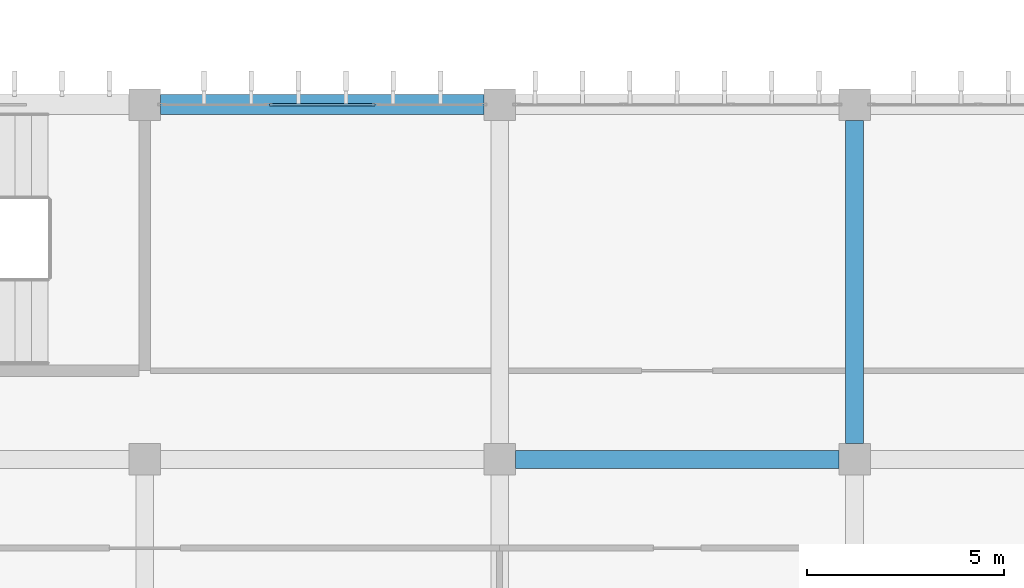
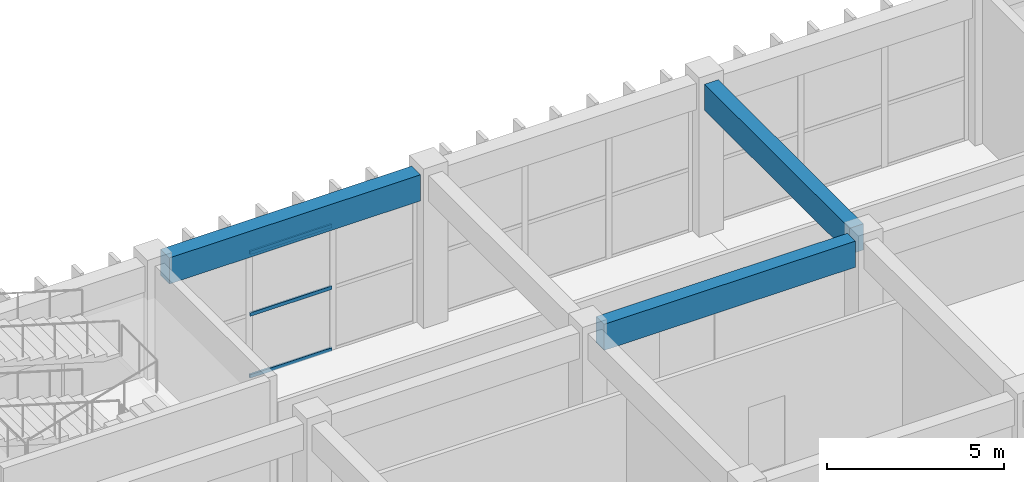
# One storey, part 215 of 437: 3 beams, 3 members, 1 element without a shape of its own.
"""IFC4 building model written with IfcOpenShell, lengths in metres."""

import ifcopenshell
import ifcopenshell.guid

model = None  # the IFC model being written
_history = None  # IfcOwnerHistory: only IFC2X3 demands one
_inside = {}  # id of a spatial element -> (the spatial element, [elements in it])
_under = {}  # id of a project, library or spatial element -> (it, [spatial elements below it])
_declared = {}  # id of a project -> (the project, [libraries it declares])
_typed = {}  # id of a type object -> (the type object, [elements of that type])
_made_of = {}  # id of a material, layer set ... -> (it, [elements and type objects made of it])


def new_model(schema):
    """Start an empty IFC model of exactly this schema.

    Asked for "IFC4X3", IfcOpenShell would pick the latest addendum, in which some entities
    have other attributes; the version numbers below select the first issue.
    IFC2X3 requires an IfcOwnerHistory on every rooted entity: one is made here for all.
    """
    global model, _history
    if schema == "IFC4X3":
        model = ifcopenshell.file(schema_version=(4, 3, 0, 0))
    else:
        model = ifcopenshell.file(schema=schema)
    _inside.clear()
    _under.clear()
    _declared.clear()
    _typed.clear()
    _made_of.clear()
    _history = None
    if model.schema == "IFC2X3":
        org = make("IfcOrganization", Name="unknown")
        user = make(
            "IfcPersonAndOrganization",
            ThePerson=make("IfcPerson", FamilyName="unknown"),
            TheOrganization=org,
        )
        app = make(
            "IfcApplication",
            ApplicationDeveloper=org,
            Version="unknown",
            ApplicationFullName="unknown",
            ApplicationIdentifier="unknown",
        )
        _history = make(
            "IfcOwnerHistory",
            OwningUser=user,
            OwningApplication=app,
            ChangeAction="ADDED",
            CreationDate=0,
        )
    return model


def make(cls, **values):
    """One entity of the class cls with the attributes given. An attribute that is None is left unset."""
    return model.create_entity(
        cls, **{name: value for name, value in values.items() if value is not None}
    )


def rooted(cls, **values):
    """An entity with a GlobalId (a new one), such as an element, a storey or a relation."""
    return make(cls, GlobalId=ifcopenshell.guid.new(), OwnerHistory=_history, **values)


def si_unit(unit_type, name, prefix=None):
    """IfcSIUnit, for example si_unit("LENGTHUNIT", "METRE", prefix="MILLI")."""
    return make("IfcSIUnit", UnitType=unit_type, Prefix=prefix, Name=name)


def assignment(units):
    """IfcUnitAssignment: the units of a project."""
    return None if units is None else make("IfcUnitAssignment", Units=units)


def point(xyz):
    """IfcCartesianPoint."""
    return None if xyz is None else make("IfcCartesianPoint", Coordinates=xyz)


def direction(xyz):
    """IfcDirection."""
    return None if xyz is None else make("IfcDirection", DirectionRatios=xyz)


def frame(location, z_axis=None, x_axis=None):
    """IfcAxis2Placement3D, a coordinate frame: its origin and axes. An axis left out is left unset."""
    return make(
        "IfcAxis2Placement3D",
        Location=point(location),
        Axis=direction(z_axis),
        RefDirection=direction(x_axis),
    )


def frame_2d(location, x_axis=None):
    """IfcAxis2Placement2D, a coordinate frame in the plane: its origin and x axis."""
    return make(
        "IfcAxis2Placement2D", Location=point(location), RefDirection=direction(x_axis)
    )


def origin():
    """The frame at (0, 0, 0) with its axes left unset."""
    return frame((0.0, 0.0, 0.0))


def origin_2d():
    """The frame at (0, 0) in the plane with its x axis left unset."""
    return frame_2d((0.0, 0.0))


def place(relative_to, where):
    """IfcLocalPlacement: puts the frame where relative to a parent placement (None: the world)."""
    return make(
        "IfcLocalPlacement", PlacementRelTo=relative_to, RelativePlacement=where
    )


def context(
    kind, dimensions, precision=None, world=None, true_north=None, identifier=None
):
    """IfcGeometricRepresentationContext, for example the 3D "Model" context."""
    return make(
        "IfcGeometricRepresentationContext",
        ContextIdentifier=identifier,
        ContextType=kind,
        CoordinateSpaceDimension=dimensions,
        Precision=precision,
        WorldCoordinateSystem=world,
        TrueNorth=true_north,
    )


def subcontext(parent, identifier, kind, view, scale=None):
    """IfcGeometricRepresentationSubContext, for example "Body" below "Model"."""
    return make(
        "IfcGeometricRepresentationSubContext",
        ContextIdentifier=identifier,
        ContextType=kind,
        ParentContext=parent,
        TargetScale=scale,
        TargetView=view,
    )


def project(units=None, contexts=None):
    """IfcProject with its units and contexts."""
    return rooted(
        "IfcProject",
        Name="project",
        RepresentationContexts=contexts,
        UnitsInContext=assignment(units),
    )


def spatial(cls, under=None, at=None, **own):
    """A site, building, storey or space (cls), placed at a placement, below another one or the project."""
    s = rooted(cls, ObjectPlacement=at, **own)
    if under is not None:
        _under.setdefault(under.id(), (under, []))[1].append(s)
    return s


def profile(cls, at=None, kind="AREA", **sizes):
    """A parametric profile (cls). Its sizes go by their IFC names, for example OverallWidth=200.0."""
    return make(cls, ProfileType=kind, Position=at, **sizes)


def rectangle(**sizes):
    """IfcRectangleProfileDef."""
    return profile("IfcRectangleProfileDef", **sizes)


def hollow_rectangle(**sizes):
    """IfcRectangleHollowProfileDef."""
    return profile("IfcRectangleHollowProfileDef", **sizes)


def extrude(swept, where, along, depth):
    """IfcExtrudedAreaSolid: the profile swept, set in the frame where, extruded along a direction by depth."""
    return make(
        "IfcExtrudedAreaSolid",
        SweptArea=swept,
        Position=where,
        ExtrudedDirection=direction(along),
        Depth=depth,
    )


def shape(context_of_items, identifier, shape_type, items):
    """IfcShapeRepresentation: the items that make up one representation, for example the "Body"."""
    return make(
        "IfcShapeRepresentation",
        ContextOfItems=context_of_items,
        RepresentationIdentifier=identifier,
        RepresentationType=shape_type,
        Items=items,
    )


def material(Name=None, Category=None):
    """IfcMaterial."""
    return make("IfcMaterial", Name=Name, Category=Category)


def layer(
    of_material, thickness, ventilated=None, Name=None, Category=None, Priority=None
):
    """IfcMaterialLayer: one layer of a wall or slab, of a material (None: an air gap)."""
    return make(
        "IfcMaterialLayer",
        Material=of_material,
        LayerThickness=thickness,
        IsVentilated=ventilated,
        Name=Name,
        Category=Category,
        Priority=Priority,
    )


def layer_set(layers, Name=None):
    """IfcMaterialLayerSet."""
    return make("IfcMaterialLayerSet", MaterialLayers=layers, LayerSetName=Name)


def material_profile(
    of_material, cross_section, Name=None, Category=None, Priority=None
):
    """IfcMaterialProfile: a cross section and its material."""
    return make(
        "IfcMaterialProfile",
        Name=Name,
        Material=of_material,
        Profile=cross_section,
        Priority=Priority,
        Category=Category,
    )


def profile_set(profiles, Name=None, composite=None):
    """IfcMaterialProfileSet."""
    return make(
        "IfcMaterialProfileSet",
        Name=Name,
        MaterialProfiles=profiles,
        CompositeProfile=composite,
    )


def made_of(thing, what):
    """Note that an element or type object is made of a material, layer set ...; save() writes the relation."""
    if what is not None:
        _made_of.setdefault(what.id(), (what, []))[1].append(thing)
    return thing


def type_object(cls, material=None, **own):
    """A type object (cls), such as IfcWallType, which elements share."""
    return made_of(rooted(cls, **own), material)


def element(
    cls,
    number,
    at=None,
    inside=None,
    cuts=None,
    type_object=None,
    material=None,
    context=None,
    identifier="Body",
    shape_type=None,
    held_by="IfcProductDefinitionShape",
    body=None,
    shapes=None,
    **own,
):
    """One element of the class cls, such as IfcWall. Its Tag is "e" and its number.

    at: its placement. inside: the storey or other place that contains it. cuts: it is an
    opening in that element (IfcRelVoidsElement). A single representation is given by context,
    identifier, shape_type and body (its items); several are given by shapes. held_by: the class
    of the entity that holds the representations. save() writes the other relations.
    """
    e = rooted(cls, Tag="e%d" % number, ObjectPlacement=at, **own)
    if body is not None:
        shapes = [shape(context, identifier, shape_type, body)]
    if shapes is not None:
        e.Representation = make(held_by, Representations=shapes)
    if inside is not None:
        _inside.setdefault(inside.id(), (inside, []))[1].append(e)
    if cuts is not None:
        rooted(
            "IfcRelVoidsElement", RelatingBuildingElement=cuts, RelatedOpeningElement=e
        )
    if type_object is not None:
        _typed.setdefault(type_object.id(), (type_object, []))[1].append(e)
    return made_of(e, material)


def aggregate(whole, parts):
    """IfcRelAggregates: a whole, such as a stair, and the parts it consists of."""
    return rooted("IfcRelAggregates", RelatingObject=whole, RelatedObjects=parts)


def save(model, path):
    """Write the relations noted so far, then the file.

    IfcRelAggregates (storeys below a building ...), IfcRelContainedInSpatialStructure (elements
    in a storey), IfcRelDefinesByType, IfcRelAssociatesMaterial and IfcRelDeclares: one each for
    every whole, place, type object, material and project.
    """
    for whole, parts in _under.values():
        aggregate(whole, parts)
    for where, things in _inside.values():
        rooted(
            "IfcRelContainedInSpatialStructure",
            RelatedElements=things,
            RelatingStructure=where,
        )
    for kind, things in _typed.values():
        rooted("IfcRelDefinesByType", RelatedObjects=things, RelatingType=kind)
    for what, things in _made_of.values():
        rooted("IfcRelAssociatesMaterial", RelatedObjects=things, RelatingMaterial=what)
    for by, libraries in _declared.values():
        rooted("IfcRelDeclares", RelatingContext=by, RelatedDefinitions=libraries)
    model.write(path)


model = new_model("IFC4")

# Units and contexts
model_context = context("Model", 3, precision=1e-05, world=origin(), true_north=direction((0.0, 1.0)))
body_context = subcontext(model_context, "Body", "Model", "MODEL_VIEW")
ifc_project = project(units=[si_unit("LENGTHUNIT", "METRE"), si_unit("AREAUNIT", "SQUARE_METRE"), si_unit("VOLUMEUNIT", "CUBIC_METRE"), si_unit("PLANEANGLEUNIT", "RADIAN"), si_unit("MASSUNIT", "GRAM", prefix="KILO")], contexts=[model_context])

# Site, building, storey
site_placement = place(None, origin())
site = spatial("IfcSite", under=ifc_project, at=site_placement, CompositionType="ELEMENT")
building_placement = place(site_placement, origin())
building = spatial("IfcBuilding", under=site, at=building_placement, Name="Opaline Strait Convention Centre", CompositionType="ELEMENT")
storey_placement = place(building_placement, frame((0.0, 0.0, 11.5)))
storey = spatial("IfcBuildingStorey", under=building, at=storey_placement, Name="L02", CompositionType="ELEMENT", Elevation=11.5)

# Curtain wall, members
ifc_material_1 = material(Name="Aluminium framed double glazing", Category="aluminium")
ifc_layer = layer(ifc_material_1, 0.199951171875)
ifc_layer_set = layer_set([ifc_layer], Name="Aluminium framed double glazing")
curtain_wall_type = type_object("IfcCurtainWallType", Name="Curtain wall 3000 module unitised", PredefinedType="NOTDEFINED", material=ifc_layer_set)
curtain_wall_placement = place(storey_placement, origin())
curtain_wall = element("IfcCurtainWall", 1, at=curtain_wall_placement, inside=storey, type_object=curtain_wall_type, Name="Curtain wall N L02 35/W", PredefinedType="NOTDEFINED")
ifc_material_2 = material(Name="Aluminium alloy 6063", Category="aluminium")
ifc_material_profile_1 = material_profile(ifc_material_2, hollow_rectangle(XDim=0.06005859375, YDim=0.1201171875, WallThickness=0.0029296875, at=origin_2d()), Name="TRANSOM 60x120x3")
ifc_profile_set_1 = profile_set([ifc_material_profile_1], Name="Aluminium alloy 6063")
member_type = type_object("IfcMemberType", Name="Curtain wall transom 60 x 120", PredefinedType="USERDEFINED", material=ifc_profile_set_1)
member_1_placement = place(storey_placement, frame((309.163330078125, 180.0, 0.030029296875), z_axis=(1.0, 0.0, 0.0), x_axis=(0.0, 1.0, 0.0)))
member_1 = element("IfcMember", 2, at=member_1_placement, type_object=member_type, Name="MCWR1 transom 2.1", ObjectType="TRANSOM", PredefinedType="USERDEFINED", context=body_context, shape_type="SweptSolid", body=[
    extrude(hollow_rectangle(XDim=0.06005859375, YDim=0.1201171875, WallThickness=0.0029296875, at=origin_2d()), origin(), (0.0, 0.0, 1.0), 2.67333984375),
])
member_2_placement = place(storey_placement, frame((309.163330078125, 180.0, 2.159912109375), z_axis=(1.0, 0.0, 0.0), x_axis=(0.0, 1.0, 0.0)))
member_2 = element("IfcMember", 3, at=member_2_placement, type_object=member_type, Name="MCWR1 transom 2.2", ObjectType="TRANSOM", PredefinedType="USERDEFINED", context=body_context, shape_type="SweptSolid", body=[
    extrude(hollow_rectangle(XDim=0.06005859375, YDim=0.1201171875, WallThickness=0.0029296875, at=origin_2d()), origin(), (0.0, 0.0, 1.0), 2.67333984375),
])
member_3_placement = place(storey_placement, frame((309.163330078125, 180.0, 4.2900390625), z_axis=(1.0, 0.0, 0.0), x_axis=(0.0, 1.0, 0.0)))
member_3 = element("IfcMember", 4, at=member_3_placement, type_object=member_type, Name="MCWR1 transom 2.3", ObjectType="TRANSOM", PredefinedType="USERDEFINED", context=body_context, shape_type="SweptSolid", body=[
    extrude(hollow_rectangle(XDim=0.06005859375, YDim=0.1201171875, WallThickness=0.0029296875, at=origin_2d()), origin(), (0.0, 0.0, 1.0), 2.67333984375),
])
aggregate(curtain_wall, [member_1, member_2, member_3])

# Beams
ifc_material_3 = material(Name="Concrete C35", Category="concrete")
ifc_material_profile_2 = material_profile(ifc_material_3, rectangle(XDim=0.449951171875, YDim=0.89990234375, at=origin_2d()), Name="RC 450x900")
ifc_profile_set_2 = profile_set([ifc_material_profile_2], Name="Concrete C35")
beam_type_1 = type_object("IfcBeamType", Name="RC beam 450x900 C35", PredefinedType="BEAM", material=ifc_profile_set_2)
for number, where, z_axis, x_axis, name in (
    (5, (315.39990234375, 171.0, 4.77001953125), (1.0, 0.0, 0.0), (0.0, 1.0, 0.0), "XB1 L02 36/V-37/V"),
    (6, (324.0, 171.39990234375, 4.77001953125), (0.0, 1.0, 0.0), (-1.0, 0.0, 0.0), "XB1 L02 37/V-37/W"),
):
    element("IfcBeam", number, at=place(storey_placement, frame(where, z_axis=z_axis, x_axis=x_axis)), inside=storey, type_object=beam_type_1, Name=name, PredefinedType="BEAM", context=body_context, shape_type="SweptSolid", body=[
        extrude(rectangle(XDim=0.449951171875, YDim=0.89990234375, at=origin_2d()), origin(), (0.0, 0.0, 1.0), 8.2001953125),
    ])
ifc_material_profile_3 = material_profile(ifc_material_3, rectangle(XDim=0.5, YDim=0.89990234375, at=origin_2d()), Name="RC 500x900")
ifc_profile_set_3 = profile_set([ifc_material_profile_3], Name="Concrete C35")
beam_type_2 = type_object("IfcBeamType", Name="RC edge beam 500x900 C35", PredefinedType="BEAM", material=ifc_profile_set_3)
beam_placement = place(storey_placement, frame((306.39990234375, 180.0, 4.77001953125), z_axis=(1.0, 0.0, 0.0), x_axis=(0.0, 1.0, 0.0)))
element("IfcBeam", 7, at=beam_placement, inside=storey, type_object=beam_type_2, Name="MRB2 L02 35/W-36/W", PredefinedType="BEAM", context=body_context, shape_type="SweptSolid", body=[
    extrude(rectangle(XDim=0.5, YDim=0.89990234375, at=origin_2d()), origin(), (0.0, 0.0, 1.0), 8.2001953125),
])

save(model, "model.ifc")
